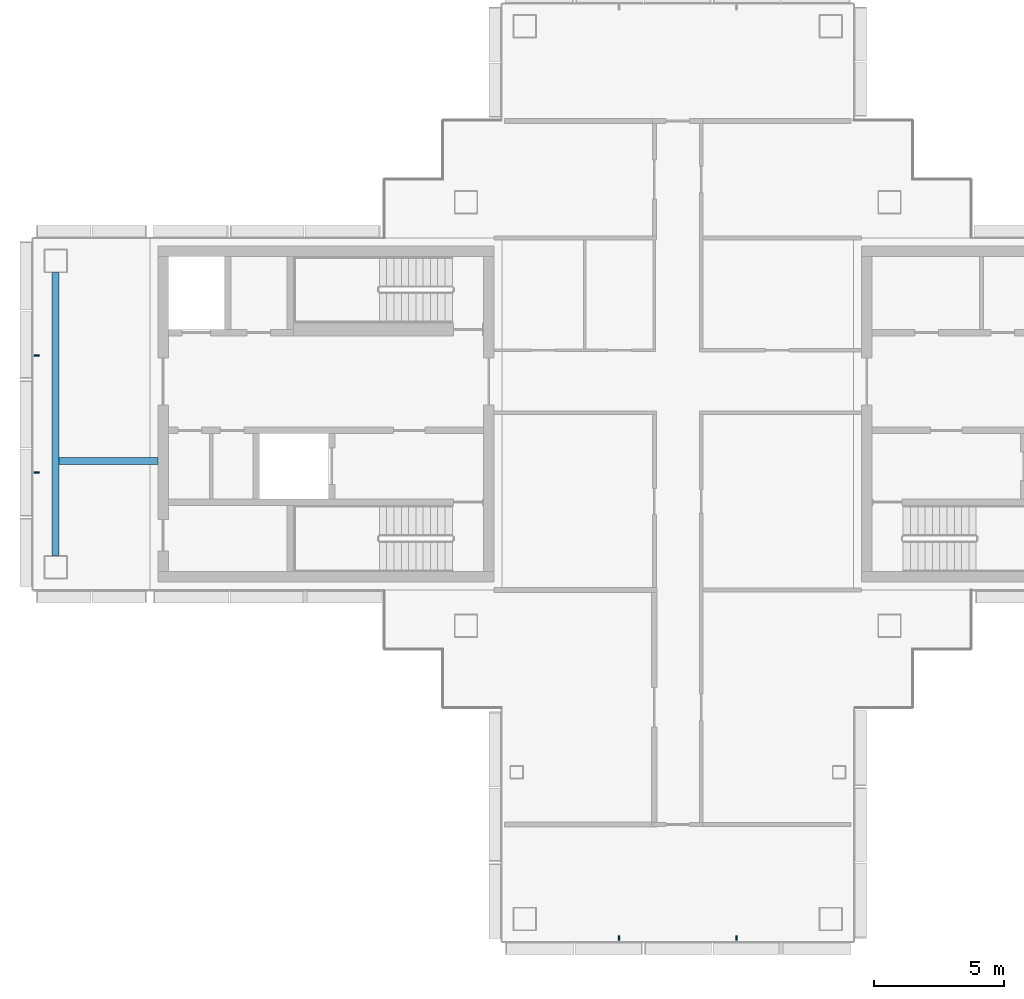
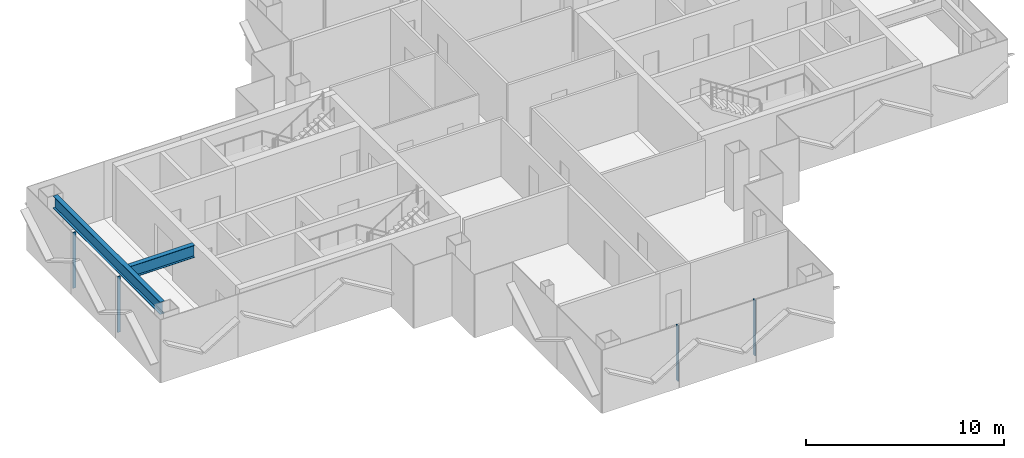
# One storey, part 3 of 17: 4 members, 2 beams, 2 elements without a shape of their own.
"""IFC4 building model written with IfcOpenShell, lengths in metres."""

import ifcopenshell
import ifcopenshell.guid

model = None  # the IFC model being written
_history = None  # IfcOwnerHistory: only IFC2X3 demands one
_inside = {}  # id of a spatial element -> (the spatial element, [elements in it])
_under = {}  # id of a project, library or spatial element -> (it, [spatial elements below it])
_declared = {}  # id of a project -> (the project, [libraries it declares])
_typed = {}  # id of a type object -> (the type object, [elements of that type])
_made_of = {}  # id of a material, layer set ... -> (it, [elements and type objects made of it])


def new_model(schema):
    """Start an empty IFC model of exactly this schema.

    Asked for "IFC4X3", IfcOpenShell would pick the latest addendum, in which some entities
    have other attributes; the version numbers below select the first issue.
    IFC2X3 requires an IfcOwnerHistory on every rooted entity: one is made here for all.
    """
    global model, _history
    if schema == "IFC4X3":
        model = ifcopenshell.file(schema_version=(4, 3, 0, 0))
    else:
        model = ifcopenshell.file(schema=schema)
    _inside.clear()
    _under.clear()
    _declared.clear()
    _typed.clear()
    _made_of.clear()
    _history = None
    if model.schema == "IFC2X3":
        org = make("IfcOrganization", Name="unknown")
        user = make(
            "IfcPersonAndOrganization",
            ThePerson=make("IfcPerson", FamilyName="unknown"),
            TheOrganization=org,
        )
        app = make(
            "IfcApplication",
            ApplicationDeveloper=org,
            Version="unknown",
            ApplicationFullName="unknown",
            ApplicationIdentifier="unknown",
        )
        _history = make(
            "IfcOwnerHistory",
            OwningUser=user,
            OwningApplication=app,
            ChangeAction="ADDED",
            CreationDate=0,
        )
    return model


def make(cls, **values):
    """One entity of the class cls with the attributes given. An attribute that is None is left unset."""
    return model.create_entity(
        cls, **{name: value for name, value in values.items() if value is not None}
    )


def rooted(cls, **values):
    """An entity with a GlobalId (a new one), such as an element, a storey or a relation."""
    return make(cls, GlobalId=ifcopenshell.guid.new(), OwnerHistory=_history, **values)


def si_unit(unit_type, name, prefix=None):
    """IfcSIUnit, for example si_unit("LENGTHUNIT", "METRE", prefix="MILLI")."""
    return make("IfcSIUnit", UnitType=unit_type, Prefix=prefix, Name=name)


def assignment(units):
    """IfcUnitAssignment: the units of a project."""
    return None if units is None else make("IfcUnitAssignment", Units=units)


def point(xyz):
    """IfcCartesianPoint."""
    return None if xyz is None else make("IfcCartesianPoint", Coordinates=xyz)


def direction(xyz):
    """IfcDirection."""
    return None if xyz is None else make("IfcDirection", DirectionRatios=xyz)


def frame(location, z_axis=None, x_axis=None):
    """IfcAxis2Placement3D, a coordinate frame: its origin and axes. An axis left out is left unset."""
    return make(
        "IfcAxis2Placement3D",
        Location=point(location),
        Axis=direction(z_axis),
        RefDirection=direction(x_axis),
    )


def frame_2d(location, x_axis=None):
    """IfcAxis2Placement2D, a coordinate frame in the plane: its origin and x axis."""
    return make(
        "IfcAxis2Placement2D", Location=point(location), RefDirection=direction(x_axis)
    )


def origin():
    """The frame at (0, 0, 0) with its axes left unset."""
    return frame((0.0, 0.0, 0.0))


def origin_2d():
    """The frame at (0, 0) in the plane with its x axis left unset."""
    return frame_2d((0.0, 0.0))


def place(relative_to, where):
    """IfcLocalPlacement: puts the frame where relative to a parent placement (None: the world)."""
    return make(
        "IfcLocalPlacement", PlacementRelTo=relative_to, RelativePlacement=where
    )


def context(
    kind, dimensions, precision=None, world=None, true_north=None, identifier=None
):
    """IfcGeometricRepresentationContext, for example the 3D "Model" context."""
    return make(
        "IfcGeometricRepresentationContext",
        ContextIdentifier=identifier,
        ContextType=kind,
        CoordinateSpaceDimension=dimensions,
        Precision=precision,
        WorldCoordinateSystem=world,
        TrueNorth=true_north,
    )


def subcontext(parent, identifier, kind, view, scale=None):
    """IfcGeometricRepresentationSubContext, for example "Body" below "Model"."""
    return make(
        "IfcGeometricRepresentationSubContext",
        ContextIdentifier=identifier,
        ContextType=kind,
        ParentContext=parent,
        TargetScale=scale,
        TargetView=view,
    )


def project(units=None, contexts=None):
    """IfcProject with its units and contexts."""
    return rooted(
        "IfcProject",
        Name="project",
        RepresentationContexts=contexts,
        UnitsInContext=assignment(units),
    )


def spatial(cls, under=None, at=None, **own):
    """A site, building, storey or space (cls), placed at a placement, below another one or the project."""
    s = rooted(cls, ObjectPlacement=at, **own)
    if under is not None:
        _under.setdefault(under.id(), (under, []))[1].append(s)
    return s


def profile(cls, at=None, kind="AREA", **sizes):
    """A parametric profile (cls). Its sizes go by their IFC names, for example OverallWidth=200.0."""
    return make(cls, ProfileType=kind, Position=at, **sizes)


def rectangle(**sizes):
    """IfcRectangleProfileDef."""
    return profile("IfcRectangleProfileDef", **sizes)


def i_section(**sizes):
    """IfcIShapeProfileDef."""
    return profile("IfcIShapeProfileDef", **sizes)


def extrude(swept, where, along, depth):
    """IfcExtrudedAreaSolid: the profile swept, set in the frame where, extruded along a direction by depth."""
    return make(
        "IfcExtrudedAreaSolid",
        SweptArea=swept,
        Position=where,
        ExtrudedDirection=direction(along),
        Depth=depth,
    )


def shape(context_of_items, identifier, shape_type, items):
    """IfcShapeRepresentation: the items that make up one representation, for example the "Body"."""
    return make(
        "IfcShapeRepresentation",
        ContextOfItems=context_of_items,
        RepresentationIdentifier=identifier,
        RepresentationType=shape_type,
        Items=items,
    )


def material(Name=None, Category=None):
    """IfcMaterial."""
    return make("IfcMaterial", Name=Name, Category=Category)


def layer(
    of_material, thickness, ventilated=None, Name=None, Category=None, Priority=None
):
    """IfcMaterialLayer: one layer of a wall or slab, of a material (None: an air gap)."""
    return make(
        "IfcMaterialLayer",
        Material=of_material,
        LayerThickness=thickness,
        IsVentilated=ventilated,
        Name=Name,
        Category=Category,
        Priority=Priority,
    )


def layer_set(layers, Name=None):
    """IfcMaterialLayerSet."""
    return make("IfcMaterialLayerSet", MaterialLayers=layers, LayerSetName=Name)


def material_profile(
    of_material, cross_section, Name=None, Category=None, Priority=None
):
    """IfcMaterialProfile: a cross section and its material."""
    return make(
        "IfcMaterialProfile",
        Name=Name,
        Material=of_material,
        Profile=cross_section,
        Priority=Priority,
        Category=Category,
    )


def profile_set(profiles, Name=None, composite=None):
    """IfcMaterialProfileSet."""
    return make(
        "IfcMaterialProfileSet",
        Name=Name,
        MaterialProfiles=profiles,
        CompositeProfile=composite,
    )


def made_of(thing, what):
    """Note that an element or type object is made of a material, layer set ...; save() writes the relation."""
    if what is not None:
        _made_of.setdefault(what.id(), (what, []))[1].append(thing)
    return thing


def type_object(cls, material=None, **own):
    """A type object (cls), such as IfcWallType, which elements share."""
    return made_of(rooted(cls, **own), material)


def element(
    cls,
    number,
    at=None,
    inside=None,
    cuts=None,
    type_object=None,
    material=None,
    context=None,
    identifier="Body",
    shape_type=None,
    held_by="IfcProductDefinitionShape",
    body=None,
    shapes=None,
    **own,
):
    """One element of the class cls, such as IfcWall. Its Tag is "e" and its number.

    at: its placement. inside: the storey or other place that contains it. cuts: it is an
    opening in that element (IfcRelVoidsElement). A single representation is given by context,
    identifier, shape_type and body (its items); several are given by shapes. held_by: the class
    of the entity that holds the representations. save() writes the other relations.
    """
    e = rooted(cls, Tag="e%d" % number, ObjectPlacement=at, **own)
    if body is not None:
        shapes = [shape(context, identifier, shape_type, body)]
    if shapes is not None:
        e.Representation = make(held_by, Representations=shapes)
    if inside is not None:
        _inside.setdefault(inside.id(), (inside, []))[1].append(e)
    if cuts is not None:
        rooted(
            "IfcRelVoidsElement", RelatingBuildingElement=cuts, RelatedOpeningElement=e
        )
    if type_object is not None:
        _typed.setdefault(type_object.id(), (type_object, []))[1].append(e)
    return made_of(e, material)


def aggregate(whole, parts):
    """IfcRelAggregates: a whole, such as a stair, and the parts it consists of."""
    return rooted("IfcRelAggregates", RelatingObject=whole, RelatedObjects=parts)


def save(model, path):
    """Write the relations noted so far, then the file.

    IfcRelAggregates (storeys below a building ...), IfcRelContainedInSpatialStructure (elements
    in a storey), IfcRelDefinesByType, IfcRelAssociatesMaterial and IfcRelDeclares: one each for
    every whole, place, type object, material and project.
    """
    for whole, parts in _under.values():
        aggregate(whole, parts)
    for where, things in _inside.values():
        rooted(
            "IfcRelContainedInSpatialStructure",
            RelatedElements=things,
            RelatingStructure=where,
        )
    for kind, things in _typed.values():
        rooted("IfcRelDefinesByType", RelatedObjects=things, RelatingType=kind)
    for what, things in _made_of.values():
        rooted("IfcRelAssociatesMaterial", RelatedObjects=things, RelatingMaterial=what)
    for by, libraries in _declared.values():
        rooted("IfcRelDeclares", RelatingContext=by, RelatedDefinitions=libraries)
    model.write(path)


model = new_model("IFC4")

# Units and contexts
model_context = context("Model", 3, precision=1e-05, world=origin(), true_north=direction((0.0, 1.0)))
body_context = subcontext(model_context, "Body", "Model", "MODEL_VIEW")
ifc_project = project(units=[si_unit("LENGTHUNIT", "METRE"), si_unit("AREAUNIT", "SQUARE_METRE"), si_unit("VOLUMEUNIT", "CUBIC_METRE"), si_unit("PLANEANGLEUNIT", "RADIAN"), si_unit("MASSUNIT", "GRAM", prefix="KILO")], contexts=[model_context])

# Site, building, storey
site_placement = place(None, origin())
site = spatial("IfcSite", under=ifc_project, at=site_placement, CompositionType="ELEMENT")
building_placement = place(site_placement, origin())
building = spatial("IfcBuilding", under=site, at=building_placement, Name="Shamsa Quay Exchange Towers", CompositionType="ELEMENT")
storey_placement = place(building_placement, frame((0.0, 0.0, 238.199951171875)))
storey = spatial("IfcBuildingStorey", under=building, at=storey_placement, Name="L57", CompositionType="ELEMENT", Elevation=238.199951171875)

# Curtain wall, members
ifc_material_1 = material(Name="Aluminium EN AW-6063 T6, black anodised", Category="aluminium")
ifc_layer = layer(ifc_material_1, 0.280029296875)
ifc_layer_set = layer_set([ifc_layer], Name="CW-1 UNITISED VISION GLASS")
curtain_wall_type = type_object("IfcCurtainWallType", Name="CW-1 UNITISED VISION GLASS", PredefinedType="NOTDEFINED", material=ifc_layer_set)
curtain_wall_1_placement = place(storey_placement, origin())
curtain_wall_1 = element("IfcCurtainWall", 1, at=curtain_wall_1_placement, inside=storey, type_object=curtain_wall_type, Name="CW1 T1-END-V- L57", PredefinedType="NOTDEFINED")
ifc_material_profile_1 = material_profile(ifc_material_1, rectangle(XDim=0.179931640625, YDim=0.06005859375, at=origin_2d()), Name="MU60x180")
ifc_profile_set_1 = profile_set([ifc_material_profile_1], Name="Aluminium EN AW-6063 T6, black anodised")
member_type = type_object("IfcMemberType", Name="CW1 MULLION 60x180", PredefinedType="MULLION", material=ifc_profile_set_1)
member_1_placement = place(storey_placement, frame((-36.0, -20.10009765625, 0.0), z_axis=(0.0, 0.0, 1.0), x_axis=(0.0, 1.0, 0.0)))
member_1 = element("IfcMember", 2, at=member_1_placement, type_object=member_type, Name="CW1 mullion", PredefinedType="MULLION", context=body_context, shape_type="SweptSolid", body=[
    extrude(rectangle(XDim=0.179931640625, YDim=0.06005859375, at=origin_2d()), origin(), (0.0, 0.0, 1.0), 3.449951171875),
])
member_2_placement = place(storey_placement, frame((-31.5, -20.10009765625, 0.0), z_axis=(0.0, 0.0, 1.0), x_axis=(0.0, 1.0, 0.0)))
member_2 = element("IfcMember", 3, at=member_2_placement, type_object=member_type, Name="CW1 mullion", PredefinedType="MULLION", context=body_context, shape_type="SweptSolid", body=[
    extrude(rectangle(XDim=0.179931640625, YDim=0.06005859375, at=origin_2d()), origin(), (0.0, 0.0, 1.0), 3.449951171875),
])
aggregate(curtain_wall_1, [member_1, member_2])

curtain_wall_2_placement = place(storey_placement, origin())
curtain_wall_2 = element("IfcCurtainWall", 4, at=curtain_wall_2_placement, inside=storey, type_object=curtain_wall_type, Name="CW1 T1-END-U- L57", PredefinedType="NOTDEFINED")
member_3_placement = place(storey_placement, frame((-58.35009765625, 2.25, 0.0)))
member_3 = element("IfcMember", 5, at=member_3_placement, type_object=member_type, Name="CW1 mullion", PredefinedType="MULLION", context=body_context, shape_type="SweptSolid", body=[
    extrude(rectangle(XDim=0.179931640625, YDim=0.06005859375, at=origin_2d()), origin(), (0.0, 0.0, 1.0), 3.449951171875),
])
member_4_placement = place(storey_placement, frame((-58.35009765625, -2.25, 0.0)))
member_4 = element("IfcMember", 6, at=member_4_placement, type_object=member_type, Name="CW1 mullion", PredefinedType="MULLION", context=body_context, shape_type="SweptSolid", body=[
    extrude(rectangle(XDim=0.179931640625, YDim=0.06005859375, at=origin_2d()), origin(), (0.0, 0.0, 1.0), 3.449951171875),
])
aggregate(curtain_wall_2, [member_3, member_4])

# Beams
ifc_material_2 = material(Name="Steel S355", Category="steel")
ifc_material_profile_2 = material_profile(ifc_material_2, i_section(OverallWidth=0.26611328125, OverallDepth=0.7578125, WebThickness=0.013916015625, FlangeThickness=0.019287109375, at=origin_2d()), Name="W30x108")
ifc_profile_set_2 = profile_set([ifc_material_profile_2], Name="Steel S355")
beam_type = type_object("IfcBeamType", Name="End-zone beam W30x108", PredefinedType="BEAM", material=ifc_profile_set_2)
beam_1_placement = place(storey_placement, frame((-57.625, -5.425048828125, 3.171142578125), z_axis=(0.0, 1.0, 0.0), x_axis=(-1.0, 0.0, 0.0)))
element("IfcBeam", 7, at=beam_1_placement, inside=storey, type_object=beam_type, Name="End beam T1 U- end zone L57", PredefinedType="BEAM", context=body_context, shape_type="SweptSolid", body=[
    extrude(i_section(OverallWidth=0.26611328125, OverallDepth=0.7578125, WebThickness=0.013916015625, FlangeThickness=0.019287109375, at=origin_2d()), origin(), (0.0, 0.0, 1.0), 10.85009765625),
])
beam_2_placement = place(storey_placement, frame((-53.699951171875, -1.800048828125, 3.171142578125), z_axis=(-1.0, 0.0, 0.0), x_axis=(0.0, -1.0, 0.0)))
element("IfcBeam", 8, at=beam_2_placement, inside=storey, type_object=beam_type, Name="Spine beam T1 U- end zone L57", PredefinedType="BEAM", context=body_context, shape_type="SweptSolid", body=[
    extrude(i_section(OverallWidth=0.26611328125, OverallDepth=0.7578125, WebThickness=0.013916015625, FlangeThickness=0.019287109375, at=origin_2d()), origin(), (0.0, 0.0, 1.0), 3.7919921875),
])

save(model, "model.ifc")
